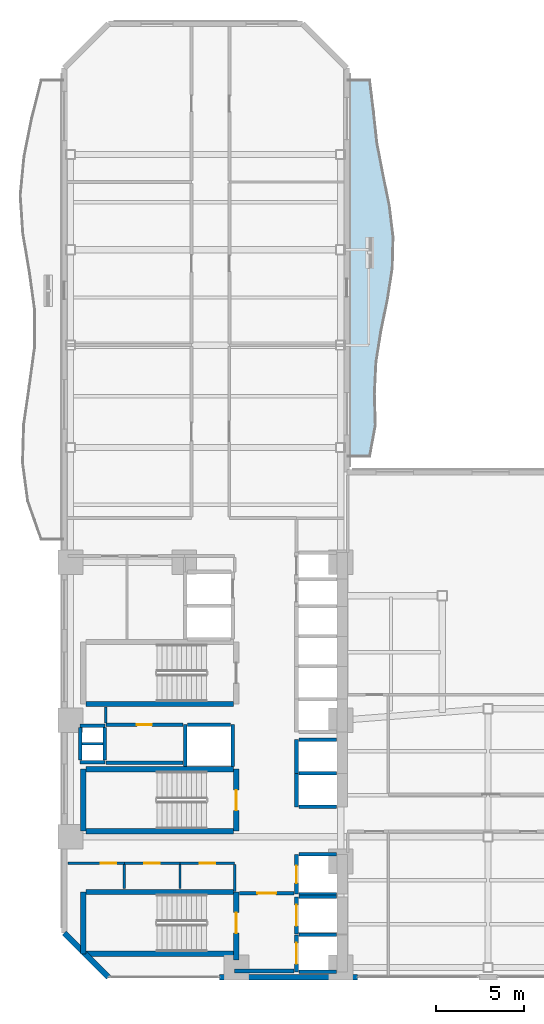
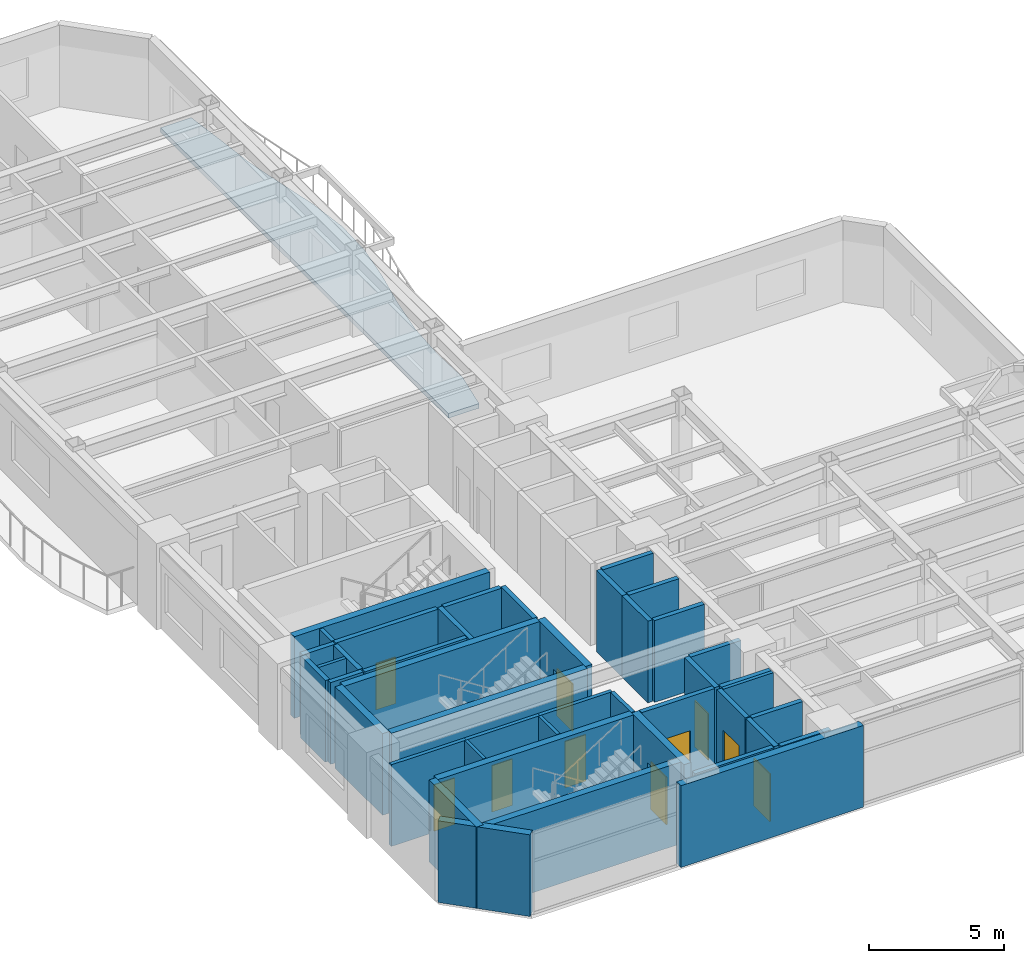
# One storey, part 9 of 16: 43 walls, 10 doors, 1 slab, 10 openings.
"""IFC4 building model written with IfcOpenShell, lengths in metres."""

from ifc_helpers import new_model, si_unit, direction, frame, frame_2d, origin, place, context, subcontext, project, spatial, polyline, rectangle, outline, extrude, material, layer, layer_set, type_object, element, fill, save


model = new_model("IFC4")

# Units and contexts
model_context = context("Model", 3, precision=1e-05, world=origin(), true_north=direction((0.0, 1.0)))
body_context = subcontext(model_context, "Body", "Model", "MODEL_VIEW")
ifc_project = project(units=[si_unit("LENGTHUNIT", "METRE"), si_unit("AREAUNIT", "SQUARE_METRE"), si_unit("VOLUMEUNIT", "CUBIC_METRE"), si_unit("PLANEANGLEUNIT", "RADIAN"), si_unit("MASSUNIT", "GRAM", prefix="KILO")], contexts=[model_context])

# Site, building, storey
site_placement = place(None, origin())
site = spatial("IfcSite", under=ifc_project, at=site_placement, CompositionType="ELEMENT")
building_placement = place(site_placement, origin())
building = spatial("IfcBuilding", under=site, at=building_placement, Name="Mawjaban Terraces University", CompositionType="ELEMENT")
storey_placement = place(building_placement, frame((0.0, 0.0, 38.800048828125)))
storey = spatial("IfcBuildingStorey", under=building, at=storey_placement, Name="L08", CompositionType="ELEMENT", Elevation=38.800048828125)

# Slab
ifc_material_1 = material(Name="Concrete C40/50", Category="concrete")
ifc_layer_1 = layer(ifc_material_1, 0.2099609375)
ifc_layer_set_1 = layer_set([ifc_layer_1], Name="Concrete C40/50")
slab_type = type_object("IfcSlabType", Name="BalconySlab_210_Ext", PredefinedType="FLOOR", material=ifc_layer_set_1)
slab_placement = place(storey_placement, frame((0.0, 0.0, -0.2099609375)))
element("IfcSlab", 1, at=slab_placement, inside=storey, type_object=slab_type, Name="L08 Planted Balcony Slab inner_east", PredefinedType="FLOOR", context=body_context, shape_type="SweptSolid", body=[
    extrude(outline(polyline([(39.300048828125, 29.5), (39.623046875, 31.27490234375), (39.571044921875, 33.050048828125), (39.657958984375, 34.824951171875), (39.93603515625, 36.60009765625), (40.302001953125, 38.375), (40.5810546875, 40.14990234375), (40.626953125, 41.925048828125), (40.4150390625, 43.699951171875), (40.052001953125, 45.47509765625), (39.7099609375, 47.25), (39.51611328125, 49.02490234375), (39.300048828125, 50.800048828125), (37.989990234375, 50.800048828125), (37.989990234375, 29.5), (39.300048828125, 29.5)])), origin(), (0.0, 0.0, 1.0), 0.2099609375),
])

# Wall, opening, door
ifc_material_2 = material(Name="Fire-rated gypsum board on steel stud", Category="steel")
ifc_layer_2 = layer(ifc_material_2, 0.159912109375)
ifc_layer_set_2 = layer_set([ifc_layer_2], Name="Fire-rated gypsum board on steel stud")
wall_type_1 = type_object("IfcWallType", Name="CorridorPartition_160", PredefinedType="PARTITIONING", material=ifc_layer_set_2)
wall_1_placement = place(storey_placement, frame((22.199951171875, 6.449951171875, 0.0), z_axis=(0.0, 0.0, 1.0), x_axis=(1.0, 0.0, 0.0)))
wall_1 = element("IfcWall", 2, at=wall_1_placement, inside=storey, type_object=wall_type_1, Name="L08 Core Washroom Lobby Partition 1", PredefinedType="PARTITIONING", context=body_context, shape_type="SweptSolid", body=[
    extrude(rectangle(XDim=3.199951171875, YDim=0.159912109375, at=frame_2d((1.60009765625, 0.0))), origin(), (0.0, 0.0, 1.0), 3.68994140625),
])
opening_1_placement = place(wall_1_placement, frame((1.860107421875, 0.0, 0.0)))
opening_1 = element("IfcOpeningElement", 3, at=opening_1_placement, cuts=wall_1, Name="Opening ID-088", PredefinedType="OPENING", context=body_context, shape_type="SweptSolid", body=[
    extrude(rectangle(XDim=0.8798828125, YDim=2.10009765625, at=frame_2d((0.43994140625, 1.050048828125))), frame((0.0, 0.08984375, 0.0), z_axis=(0.0, -1.0, 0.0), x_axis=(1.0, 0.0, 0.0)), (0.0, 0.0, 1.0), 0.179931640625),
])
ifc_material_3 = material(Name="Powder-coated steel frame and solid acoustic timber leaf", Category="steel")
door_type_1 = type_object("IfcDoorType", Name="ToiletDoor_880x2100", OperationType="NOTDEFINED", PredefinedType="DOOR", material=ifc_material_3)
door_1_placement = place(opening_1_placement, origin())
door_1 = element("IfcDoor", 4, at=door_1_placement, inside=storey, type_object=door_type_1, Name="L08 Male Toilet Door", OperationType="SINGLE_SWING_RIGHT", OverallHeight=2.10009765625, OverallWidth=0.8798828125, PredefinedType="DOOR", context=body_context, shape_type="SweptSolid", body=[
    extrude(rectangle(XDim=0.8798828125, YDim=2.10009765625, at=frame_2d((0.43994140625, 1.050048828125))), frame((0.0, 0.02490234375, 0.0), z_axis=(0.0, -1.0, 0.0), x_axis=(1.0, 0.0, 0.0)), (0.0, 0.0, 1.0), 0.050048828125),
])
fill(opening_1, door_1)

wall_2_placement = place(storey_placement, frame((25.39990234375, 6.449951171875, 0.0), z_axis=(0.0, 0.0, 1.0), x_axis=(1.0, 0.0, 0.0)))
wall_2 = element("IfcWall", 5, at=wall_2_placement, inside=storey, type_object=wall_type_1, Name="L08 Core Washroom Lobby Partition 4", PredefinedType="PARTITIONING", context=body_context, shape_type="SweptSolid", body=[
    extrude(rectangle(XDim=3.150146484375, YDim=0.159912109375, at=frame_2d((1.5751953125, 0.0))), origin(), (0.0, 0.0, 1.0), 3.68994140625),
])
opening_2_placement = place(wall_2_placement, frame((1.135009765625, 0.0, 0.0)))
opening_2 = element("IfcOpeningElement", 6, at=opening_2_placement, cuts=wall_2, Name="Opening ID-088", PredefinedType="OPENING", context=body_context, shape_type="SweptSolid", body=[
    extrude(rectangle(XDim=0.8798828125, YDim=2.10009765625, at=frame_2d((0.43994140625, 1.050048828125))), frame((0.0, 0.08984375, 0.0), z_axis=(0.0, -1.0, 0.0), x_axis=(1.0, 0.0, 0.0)), (0.0, 0.0, 1.0), 0.179931640625),
])
door_2_placement = place(opening_2_placement, origin())
door_2 = element("IfcDoor", 7, at=door_2_placement, inside=storey, type_object=door_type_1, Name="L08 Female Toilet Door", OperationType="SINGLE_SWING_LEFT", OverallHeight=2.10009765625, OverallWidth=0.8798828125, PredefinedType="DOOR", context=body_context, shape_type="SweptSolid", body=[
    extrude(rectangle(XDim=0.8798828125, YDim=2.10009765625, at=frame_2d((0.43994140625, 1.050048828125))), frame((0.0, 0.02490234375, 0.0), z_axis=(0.0, -1.0, 0.0), x_axis=(1.0, 0.0, 0.0)), (0.0, 0.0, 1.0), 0.050048828125),
])
fill(opening_2, door_2)

wall_3_placement = place(storey_placement, frame((28.550048828125, 6.449951171875, 0.0), z_axis=(0.0, 0.0, 1.0), x_axis=(1.0, 0.0, 0.0)))
wall_3 = element("IfcWall", 8, at=wall_3_placement, inside=storey, type_object=wall_type_1, Name="L08 Core Washroom Lobby Partition 6", PredefinedType="PARTITIONING", context=body_context, shape_type="SweptSolid", body=[
    extrude(rectangle(XDim=3.099853515625, YDim=0.159912109375, at=frame_2d((1.5498046875, 0.0))), origin(), (0.0, 0.0, 1.0), 3.68994140625),
])
opening_3_placement = place(wall_3_placement, frame((1.110107421875, 0.0, 0.0)))
opening_3 = element("IfcOpeningElement", 9, at=opening_3_placement, cuts=wall_3, Name="Opening ID-088", PredefinedType="OPENING", context=body_context, shape_type="SweptSolid", body=[
    extrude(rectangle(XDim=0.8798828125, YDim=2.10009765625, at=frame_2d((0.43994140625, 1.050048828125))), frame((0.0, 0.08984375, 0.0), z_axis=(0.0, -1.0, 0.0), x_axis=(1.0, 0.0, 0.0)), (0.0, 0.0, 1.0), 0.179931640625),
])
door_3_placement = place(opening_3_placement, origin())
door_3 = element("IfcDoor", 10, at=door_3_placement, inside=storey, type_object=door_type_1, Name="L08 Accessible Toilet Door", OperationType="SINGLE_SWING_RIGHT", OverallHeight=2.10009765625, OverallWidth=0.8798828125, PredefinedType="DOOR", context=body_context, shape_type="SweptSolid", body=[
    extrude(rectangle(XDim=0.8798828125, YDim=2.10009765625, at=frame_2d((0.43994140625, 1.050048828125))), frame((0.0, 0.02490234375, 0.0), z_axis=(0.0, -1.0, 0.0), x_axis=(1.0, 0.0, 0.0)), (0.0, 0.0, 1.0), 0.050048828125),
])
fill(opening_3, door_3)

# Walls
wall_4_placement = place(storey_placement, frame((24.35009765625, 15.2900390625, 0.0), z_axis=(0.0, 0.0, 1.0), x_axis=(0.0, -1.0, 0.0)))
element("IfcWall", 11, at=wall_4_placement, inside=storey, type_object=wall_type_1, Name="L08 Core Riser Access Passage Partition 28", PredefinedType="PARTITIONING", context=body_context, shape_type="SweptSolid", body=[
    extrude(rectangle(XDim=0.89501953125, YDim=0.159912109375, at=frame_2d((0.447509765625, 0.0))), origin(), (0.0, 0.0, 1.0), 3.68994140625),
])
wall_5_placement = place(storey_placement, frame((31.64990234375, 4.860107421875, 0.0), z_axis=(0.0, 0.0, 1.0), x_axis=(0.0, 1.0, 0.0)))
element("IfcWall", 12, at=wall_5_placement, inside=storey, type_object=wall_type_1, Name="L08 Accessible Toilet Partition 39", PredefinedType="PARTITIONING", context=body_context, shape_type="SweptSolid", body=[
    extrude(rectangle(XDim=1.514892578125, YDim=0.159912109375, at=frame_2d((0.75732421875, 0.0))), origin(), (0.0, 0.0, 1.0), 3.68994140625),
])
ifc_material_4 = material(Name="Insulated terracotta rainscreen on concrete backup C40/50", Category="masonry")
ifc_layer_3 = layer(ifc_material_4, 0.320068359375)
ifc_layer_set_3 = layer_set([ifc_layer_3], Name="Insulated terracotta rainscreen on concrete backup C40/50")
wall_type_2 = type_object("IfcWallType", Name="ExtTerracottaWall_320", PredefinedType="SOLIDWALL", material=ifc_layer_set_3)
wall_6_placement = place(storey_placement, frame((30.800048828125, 0.0, 0.0), z_axis=(0.0, 0.0, 1.0), x_axis=(1.0, 0.0, 0.0)))
element("IfcWall", 13, at=wall_6_placement, inside=storey, type_object=wall_type_2, Name="L08 Exterior Terracotta Pier Wall 1.1", PredefinedType="SOLIDWALL", context=body_context, shape_type="SweptSolid", body=[
    extrude(rectangle(XDim=7.800048828125, YDim=0.320068359375, at=frame_2d((3.89990234375, 0.0))), origin(), (0.0, 0.0, 1.0), 3.68994140625),
])
wall_7_placement = place(storey_placement, frame((22.0, 2.5, 0.0), z_axis=(0.0, 0.0, 1.0), x_axis=(0.707106781187, -0.707106781187, 0.0)))
element("IfcWall", 14, at=wall_7_placement, inside=storey, type_object=wall_type_2, Name="L08 Exterior Terracotta Wall 14", PredefinedType="SOLIDWALL", context=body_context, shape_type="SweptSolid", body=[
    extrude(rectangle(XDim=3.53564453125, YDim=0.320068359375, at=frame_2d((1.767822265625, 0.0))), origin(), (0.0, 0.0, 1.0), 3.68994140625),
])

# Wall, opening, door
ifc_layer_4 = layer(ifc_material_1, 0.199951171875)
ifc_layer_set_4 = layer_set([ifc_layer_4], Name="Concrete C40/50")
wall_type_3 = type_object("IfcWallType", Name="FireLobbyWall_200", PredefinedType="SOLIDWALL", material=ifc_layer_set_4)
wall_8_placement = place(storey_placement, frame((35.14990234375, 2.39990234375, 0.0), z_axis=(0.0, 0.0, 1.0), x_axis=(0.0, -1.0, 0.0)))
wall_8 = element("IfcWall", 15, at=wall_8_placement, inside=storey, type_object=wall_type_3, Name="L08 Lift FL-1 Hoistway Wall West", PredefinedType="SOLIDWALL", context=body_context, shape_type="SweptSolid", body=[
    extrude(rectangle(XDim=2.099853515625, YDim=0.199951171875, at=frame_2d((1.0498046875, 0.0))), origin(), (0.0, 0.0, 1.0), 3.68994140625),
])
opening_4_placement = place(wall_8_placement, frame((0.449951171875, 0.0, 0.0)))
opening_4 = element("IfcOpeningElement", 16, at=opening_4_placement, cuts=wall_8, Name="Opening LD-FL-1", PredefinedType="OPENING", context=body_context, shape_type="SweptSolid", body=[
    extrude(rectangle(XDim=1.199951171875, YDim=2.14990234375, at=frame_2d((0.60009765625, 1.074951171875))), frame((0.0, 0.10986328125, 0.0), z_axis=(0.0, -1.0, 0.0), x_axis=(1.0, 0.0, 0.0)), (0.0, 0.0, 1.0), 0.219970703125),
])
ifc_material_5 = material(Name="Powder-coated steel frame and fire-rated steel-faced leaf", Category="steel")
door_type_2 = type_object("IfcDoorType", Name="LiftLandingFSAE_1200x2150", OperationType="NOTDEFINED", PredefinedType="DOOR", material=ifc_material_5)
door_4_placement = place(opening_4_placement, origin())
door_4 = element("IfcDoor", 17, at=door_4_placement, inside=storey, type_object=door_type_2, Name="L08 Lift FL-1 Sliding Landing Door", OperationType="DOUBLE_DOOR_SLIDING", OverallHeight=2.14990234375, OverallWidth=1.199951171875, PredefinedType="DOOR", context=body_context, shape_type="SweptSolid", body=[
    extrude(rectangle(XDim=1.199951171875, YDim=2.14990234375, at=frame_2d((0.60009765625, 1.074951171875))), frame((0.0, 0.02490234375, 0.0), z_axis=(0.0, -1.0, 0.0), x_axis=(1.0, 0.0, 0.0)), (0.0, 0.0, 1.0), 0.050048828125),
])
fill(opening_4, door_4)

# Walls
for number, where, z_axis, x_axis, name in (
    (18, (35.280029296875, 0.300048828125, 0.0), (0.0, 0.0, 1.0), (1.0, 0.0, 0.0), "L08 Lift FL-1 Hoistway Wall South"),
    (19, (37.419921875, 2.39990234375, 0.0), (0.0, 0.0, 1.0), (-1.0, 0.0, 0.0), "L08 Lift FL-1 Hoistway Wall North"),
):
    element("IfcWall", number, at=place(storey_placement, frame(where, z_axis=z_axis, x_axis=x_axis)), inside=storey, type_object=wall_type_3, Name=name, PredefinedType="SOLIDWALL", context=body_context, shape_type="SweptSolid", body=[
        extrude(rectangle(XDim=2.139892578125, YDim=0.199951171875, at=frame_2d((1.06982421875, 0.0))), origin(), (0.0, 0.0, 1.0), 3.68994140625),
    ])

# Wall, opening, door
wall_9_placement = place(storey_placement, frame((35.14990234375, 4.550048828125, 0.0), z_axis=(0.0, 0.0, 1.0), x_axis=(0.0, -1.0, 0.0)))
wall_9 = element("IfcWall", 20, at=wall_9_placement, inside=storey, type_object=wall_type_3, Name="L08 Lift FL-2 Hoistway Wall West", PredefinedType="SOLIDWALL", context=body_context, shape_type="SweptSolid", body=[
    extrude(rectangle(XDim=2.10009765625, YDim=0.199951171875, at=frame_2d((1.050048828125, 0.0))), origin(), (0.0, 0.0, 1.0), 3.68994140625),
])
opening_5_placement = place(wall_9_placement, frame((0.449951171875, 0.0, 0.0)))
opening_5 = element("IfcOpeningElement", 21, at=opening_5_placement, cuts=wall_9, Name="Opening LD-FL-2", PredefinedType="OPENING", context=body_context, shape_type="SweptSolid", body=[
    extrude(rectangle(XDim=1.199951171875, YDim=2.14990234375, at=frame_2d((0.60009765625, 1.074951171875))), frame((0.0, 0.10986328125, 0.0), z_axis=(0.0, -1.0, 0.0), x_axis=(1.0, 0.0, 0.0)), (0.0, 0.0, 1.0), 0.219970703125),
])
door_5_placement = place(opening_5_placement, origin())
door_5 = element("IfcDoor", 22, at=door_5_placement, inside=storey, type_object=door_type_2, Name="L08 Lift FL-2 Sliding Landing Door", OperationType="DOUBLE_DOOR_SLIDING", OverallHeight=2.14990234375, OverallWidth=1.199951171875, PredefinedType="DOOR", context=body_context, shape_type="SweptSolid", body=[
    extrude(rectangle(XDim=1.199951171875, YDim=2.14990234375, at=frame_2d((0.60009765625, 1.074951171875))), frame((0.0, 0.02490234375, 0.0), z_axis=(0.0, -1.0, 0.0), x_axis=(1.0, 0.0, 0.0)), (0.0, 0.0, 1.0), 0.050048828125),
])
fill(opening_5, door_5)

# Wall
wall_10_placement = place(storey_placement, frame((37.419921875, 4.550048828125, 0.0), z_axis=(0.0, 0.0, 1.0), x_axis=(-1.0, 0.0, 0.0)))
element("IfcWall", 23, at=wall_10_placement, inside=storey, type_object=wall_type_3, Name="L08 Lift FL-2 Hoistway Wall North", PredefinedType="SOLIDWALL", context=body_context, shape_type="SweptSolid", body=[
    extrude(rectangle(XDim=2.139892578125, YDim=0.199951171875, at=frame_2d((1.06982421875, 0.0))), origin(), (0.0, 0.0, 1.0), 3.68994140625),
])

# Wall, opening, door
wall_11_placement = place(storey_placement, frame((35.14990234375, 6.949951171875, 0.0), z_axis=(0.0, 0.0, 1.0), x_axis=(0.0, -1.0, 0.0)))
wall_11 = element("IfcWall", 24, at=wall_11_placement, inside=storey, type_object=wall_type_3, Name="L08 Lift SL-1 Hoistway Wall West", PredefinedType="SOLIDWALL", context=body_context, shape_type="SweptSolid", body=[
    extrude(rectangle(XDim=2.25, YDim=0.199951171875, at=frame_2d((1.125, 0.0))), origin(), (0.0, 0.0, 1.0), 3.68994140625),
])
opening_6_placement = place(wall_11_placement, frame((0.625, 0.0, 0.0)))
opening_6 = element("IfcOpeningElement", 25, at=opening_6_placement, cuts=wall_11, Name="Opening LD-SL-1", PredefinedType="OPENING", context=body_context, shape_type="SweptSolid", body=[
    extrude(rectangle(XDim=1.0, YDim=2.10009765625, at=frame_2d((0.5, 1.050048828125))), frame((0.0, 0.10986328125, 0.0), z_axis=(0.0, -1.0, 0.0), x_axis=(1.0, 0.0, 0.0)), (0.0, 0.0, 1.0), 0.219970703125),
])
door_type_3 = type_object("IfcDoorType", Name="LiftLandingSliding_1000x2100", OperationType="NOTDEFINED", PredefinedType="DOOR", material=ifc_material_5)
door_6_placement = place(opening_6_placement, origin())
door_6 = element("IfcDoor", 26, at=door_6_placement, inside=storey, type_object=door_type_3, Name="L08 Lift SL-1 Sliding Landing Door", OperationType="DOUBLE_DOOR_SLIDING", OverallHeight=2.10009765625, OverallWidth=1.0, PredefinedType="DOOR", context=body_context, shape_type="SweptSolid", body=[
    extrude(rectangle(XDim=1.0, YDim=2.10009765625, at=frame_2d((0.5, 1.050048828125))), frame((0.0, 0.02490234375, 0.0), z_axis=(0.0, -1.0, 0.0), x_axis=(1.0, 0.0, 0.0)), (0.0, 0.0, 1.0), 0.050048828125),
])
fill(opening_6, door_6)

# Walls
for number, where, z_axis, x_axis, name in (
    (27, (35.280029296875, 4.699951171875, 0.0), (0.0, 0.0, 1.0), (1.0, 0.0, 0.0), "L08 Lift SL-1 Hoistway Wall South"),
    (28, (37.419921875, 6.949951171875, 0.0), (0.0, 0.0, 1.0), (-1.0, 0.0, 0.0), "L08 Lift SL-1 Hoistway Wall North"),
):
    element("IfcWall", number, at=place(storey_placement, frame(where, z_axis=z_axis, x_axis=x_axis)), inside=storey, type_object=wall_type_3, Name=name, PredefinedType="SOLIDWALL", context=body_context, shape_type="SweptSolid", body=[
        extrude(rectangle(XDim=2.139892578125, YDim=0.199951171875, at=frame_2d((1.06982421875, 0.0))), origin(), (0.0, 0.0, 1.0), 3.68994140625),
    ])
wall_12_placement = place(storey_placement, frame((35.14990234375, 11.550048828125, 0.0), z_axis=(0.0, 0.0, 1.0), x_axis=(0.0, -1.0, 0.0)))
element("IfcWall", 29, at=wall_12_placement, inside=storey, type_object=wall_type_3, Name="L08 Lift PL-H1 Hoistway Wall West", PredefinedType="SOLIDWALL", context=body_context, shape_type="SweptSolid", body=[
    extrude(rectangle(XDim=1.900146484375, YDim=0.199951171875, at=frame_2d((0.9501953125, 0.0))), origin(), (0.0, 0.0, 1.0), 3.68994140625),
])
for number, where, z_axis, x_axis, name in (
    (30, (35.280029296875, 9.64990234375, 0.0), (0.0, 0.0, 1.0), (1.0, 0.0, 0.0), "L08 Lift PL-H1 Hoistway Wall South"),
    (31, (37.419921875, 11.550048828125, 0.0), (0.0, 0.0, 1.0), (-1.0, 0.0, 0.0), "L08 Lift PL-H1 Hoistway Wall North"),
):
    element("IfcWall", number, at=place(storey_placement, frame(where, z_axis=z_axis, x_axis=x_axis)), inside=storey, type_object=wall_type_3, Name=name, PredefinedType="SOLIDWALL", context=body_context, shape_type="SweptSolid", body=[
        extrude(rectangle(XDim=2.139892578125, YDim=0.199951171875, at=frame_2d((1.06982421875, 0.0))), origin(), (0.0, 0.0, 1.0), 3.68994140625),
    ])
wall_13_placement = place(storey_placement, frame((35.14990234375, 13.449951171875, 0.0), z_axis=(0.0, 0.0, 1.0), x_axis=(0.0, -1.0, 0.0)))
element("IfcWall", 32, at=wall_13_placement, inside=storey, type_object=wall_type_3, Name="L08 Lift PL-H2 Hoistway Wall West", PredefinedType="SOLIDWALL", context=body_context, shape_type="SweptSolid", body=[
    extrude(rectangle(XDim=1.89990234375, YDim=0.199951171875, at=frame_2d((0.949951171875, 0.0))), origin(), (0.0, 0.0, 1.0), 3.68994140625),
])
wall_14_placement = place(storey_placement, frame((37.419921875, 13.449951171875, 0.0), z_axis=(0.0, 0.0, 1.0), x_axis=(-1.0, 0.0, 0.0)))
element("IfcWall", 33, at=wall_14_placement, inside=storey, type_object=wall_type_3, Name="L08 Lift PL-H2 Hoistway Wall North", PredefinedType="SOLIDWALL", context=body_context, shape_type="SweptSolid", body=[
    extrude(rectangle(XDim=2.139892578125, YDim=0.199951171875, at=frame_2d((1.06982421875, 0.0))), origin(), (0.0, 0.0, 1.0), 3.68994140625),
])
for number, where, z_axis, x_axis, name in (
    (34, (28.85009765625, 14.300048828125, 0.0), (0.0, 0.0, 1.0), (0.0, -1.0, 0.0), "L08 Lift PL-H3 Hoistway Wall West"),
    (35, (31.550048828125, 11.929931640625, 0.0), (0.0, 0.0, 1.0), (0.0, 1.0, 0.0), "L08 Lift PL-H3 Hoistway Wall East"),
):
    element("IfcWall", number, at=place(storey_placement, frame(where, z_axis=z_axis, x_axis=x_axis)), inside=storey, type_object=wall_type_3, Name=name, PredefinedType="SOLIDWALL", context=body_context, shape_type="SweptSolid", body=[
        extrude(rectangle(XDim=2.3701171875, YDim=0.199951171875, at=frame_2d((1.18505859375, 0.0))), origin(), (0.0, 0.0, 1.0), 3.68994140625),
    ])
wall_15_placement = place(storey_placement, frame((31.419921875, 14.300048828125, 0.0), z_axis=(0.0, 0.0, 1.0), x_axis=(-1.0, 0.0, 0.0)))
element("IfcWall", 36, at=wall_15_placement, inside=storey, type_object=wall_type_3, Name="L08 Lift PL-H3 Hoistway Wall North", PredefinedType="SOLIDWALL", context=body_context, shape_type="SweptSolid", body=[
    extrude(rectangle(XDim=2.43994140625, YDim=0.199951171875, at=frame_2d((1.219970703125, 0.0))), origin(), (0.0, 0.0, 1.0), 3.68994140625),
])
for number, where, z_axis, x_axis, name in (
    (37, (22.89990234375, 14.25, 0.0), (0.0, 0.0, 1.0), (1.0, 0.0, 0.0), "L08 MEP Riser Shaft Wall N"),
    (38, (22.89990234375, 12.179931640625, 0.0), (0.0, 0.0, 1.0), (1.0, 0.0, 0.0), "L08 MEP Riser Shaft Wall S"),
):
    element("IfcWall", number, at=place(storey_placement, frame(where, z_axis=z_axis, x_axis=x_axis)), inside=storey, type_object=wall_type_3, Name=name, PredefinedType="SOLIDWALL", context=body_context, shape_type="SweptSolid", body=[
        extrude(rectangle(XDim=1.400146484375, YDim=0.199951171875, at=frame_2d((0.7001953125, 0.0))), origin(), (0.0, 0.0, 1.0), 3.68994140625),
    ])
for number, where, z_axis, x_axis, name in (
    (39, (24.300048828125, 12.300048828125, 0.0), (0.0, 0.0, 1.0), (0.0, 1.0, 0.0), "L08 MEP Riser Shaft Wall E"),
    (40, (22.89990234375, 12.300048828125, 0.0), (0.0, 0.0, 1.0), (0.0, 1.0, 0.0), "L08 MEP Riser Shaft Wall W"),
):
    element("IfcWall", number, at=place(storey_placement, frame(where, z_axis=z_axis, x_axis=x_axis)), inside=storey, type_object=wall_type_3, Name=name, PredefinedType="SOLIDWALL", context=body_context, shape_type="SweptSolid", body=[
        extrude(rectangle(XDim=1.829833984375, YDim=0.199951171875, at=frame_2d((0.9150390625, 0.0))), origin(), (0.0, 0.0, 1.0), 3.68994140625),
    ])
wall_16_placement = place(storey_placement, frame((24.35009765625, 12.14990234375, 0.0), z_axis=(0.0, 0.0, 1.0), x_axis=(1.0, 0.0, 0.0)))
element("IfcWall", 41, at=wall_16_placement, inside=storey, type_object=wall_type_3, Name="L08 IT and Telecoms Riser Room Partition 2", PredefinedType="SOLIDWALL", context=body_context, shape_type="SweptSolid", body=[
    extrude(rectangle(XDim=4.369873046875, YDim=0.199951171875, at=frame_2d((2.18505859375, 0.0))), origin(), (0.0, 0.0, 1.0), 3.68994140625),
])

# Wall, opening, door
wall_17_placement = place(storey_placement, frame((24.35009765625, 14.300048828125, 0.0), z_axis=(0.0, 0.0, 1.0), x_axis=(1.0, 0.0, 0.0)))
wall_17 = element("IfcWall", 42, at=wall_17_placement, inside=storey, type_object=wall_type_3, Name="L08 Core Riser Access Passage Partition 3", PredefinedType="SOLIDWALL", context=body_context, shape_type="SweptSolid", body=[
    extrude(rectangle(XDim=4.369873046875, YDim=0.199951171875, at=frame_2d((2.18505859375, 0.0))), origin(), (0.0, 0.0, 1.0), 3.68994140625),
])
opening_7_placement = place(wall_17_placement, frame((1.760009765625, 0.0, 0.0)))
opening_7 = element("IfcOpeningElement", 43, at=opening_7_placement, cuts=wall_17, Name="Opening FD-085", PredefinedType="OPENING", context=body_context, shape_type="SweptSolid", body=[
    extrude(rectangle(XDim=0.85009765625, YDim=2.10009765625, at=frame_2d((0.425048828125, 1.050048828125))), frame((0.0, 0.10986328125, 0.0), z_axis=(0.0, -1.0, 0.0), x_axis=(1.0, 0.0, 0.0)), (0.0, 0.0, 1.0), 0.219970703125),
])
door_type_4 = type_object("IfcDoorType", Name="FireRiserDoor_850x2100", OperationType="NOTDEFINED", PredefinedType="DOOR", material=ifc_material_5)
door_7_placement = place(opening_7_placement, origin())
door_7 = element("IfcDoor", 44, at=door_7_placement, inside=storey, type_object=door_type_4, Name="L08 IT and Telecoms Riser Room Door", OperationType="SINGLE_SWING_LEFT", OverallHeight=2.10009765625, OverallWidth=0.85009765625, PredefinedType="DOOR", context=body_context, shape_type="SweptSolid", body=[
    extrude(rectangle(XDim=0.85009765625, YDim=2.10009765625, at=frame_2d((0.425048828125, 1.050048828125))), frame((0.0, 0.02490234375, 0.0), z_axis=(0.0, -1.0, 0.0), x_axis=(1.0, 0.0, 0.0)), (0.0, 0.0, 1.0), 0.050048828125),
])
fill(opening_7, door_7)

# Wall
wall_18_placement = place(storey_placement, frame((31.64990234375, 0.35009765625, 0.0), z_axis=(0.0, 0.0, 1.0), x_axis=(1.0, 0.0, 0.0)))
element("IfcWall", 45, at=wall_18_placement, inside=storey, type_object=wall_type_3, Name="L08 Firefighting Lift Lobby Partition 12", PredefinedType="SOLIDWALL", context=body_context, shape_type="SweptSolid", body=[
    extrude(rectangle(XDim=3.3701171875, YDim=0.199951171875, at=frame_2d((1.68505859375, 0.0))), origin(), (0.0, 0.0, 1.0), 3.68994140625),
])

# Wall, opening, door
wall_19_placement = place(storey_placement, frame((35.02001953125, 4.75, 0.0), z_axis=(0.0, 0.0, 1.0), x_axis=(-1.0, 0.0, 0.0)))
wall_19 = element("IfcWall", 46, at=wall_19_placement, inside=storey, type_object=wall_type_3, Name="L08 Firefighting Lift Lobby Partition 13", PredefinedType="SOLIDWALL", context=body_context, shape_type="SweptSolid", body=[
    extrude(rectangle(XDim=3.110107421875, YDim=0.199951171875, at=frame_2d((1.55517578125, 0.0))), origin(), (0.0, 0.0, 1.0), 3.68994140625),
])
opening_8_placement = place(wall_19_placement, frame((1.030029296875, 0.0, 0.0)))
opening_8 = element("IfcOpeningElement", 47, at=opening_8_placement, cuts=wall_19, Name="Opening FD-105", PredefinedType="OPENING", context=body_context, shape_type="SweptSolid", body=[
    extrude(rectangle(XDim=1.050048828125, YDim=2.14990234375, at=frame_2d((0.52490234375, 1.074951171875))), frame((0.0, 0.10986328125, 0.0), z_axis=(0.0, -1.0, 0.0), x_axis=(1.0, 0.0, 0.0)), (0.0, 0.0, 1.0), 0.219970703125),
])
door_type_5 = type_object("IfcDoorType", Name="FireLobbyDoor_1050x2150", OperationType="NOTDEFINED", PredefinedType="DOOR", material=ifc_material_5)
door_8_placement = place(opening_8_placement, origin())
door_8 = element("IfcDoor", 48, at=door_8_placement, inside=storey, type_object=door_type_5, Name="L08 Firefighting Lift Lobby Door", OperationType="SINGLE_SWING_LEFT", OverallHeight=2.14990234375, OverallWidth=1.050048828125, PredefinedType="DOOR", context=body_context, shape_type="SweptSolid", body=[
    extrude(rectangle(XDim=1.050048828125, YDim=2.14990234375, at=frame_2d((0.52490234375, 1.074951171875))), frame((0.0, 0.02490234375, 0.0), z_axis=(0.0, -1.0, 0.0), x_axis=(1.0, 0.0, 0.0)), (0.0, 0.0, 1.0), 0.050048828125),
])
fill(opening_8, door_8)

# Walls
ifc_material_6 = material(Name="Moisture-resistant gypsum board on steel stud", Category="steel")
ifc_layer_5 = layer(ifc_material_6, 0.14501953125)
ifc_layer_set_5 = layer_set([ifc_layer_5], Name="Moisture-resistant gypsum board on steel stud")
wall_type_4 = type_object("IfcWallType", Name="LabPartition_145", PredefinedType="PARTITIONING", material=ifc_layer_set_5)
wall_20_placement = place(storey_placement, frame((23.010009765625, 13.22509765625, 0.0), z_axis=(0.0, 0.0, 1.0), x_axis=(1.0, 0.0, 0.0)))
element("IfcWall", 49, at=wall_20_placement, inside=storey, type_object=wall_type_4, Name="L08 MEP Riser Shaft Wall M", PredefinedType="PARTITIONING", context=body_context, shape_type="SweptSolid", body=[
    extrude(rectangle(XDim=1.179931640625, YDim=0.14501953125, at=frame_2d((0.58984375, 0.0))), origin(), (0.0, 0.0, 1.0), 3.68994140625),
])
ifc_material_7 = material(Name="Concrete C60/75", Category="concrete")
ifc_layer_6 = layer(ifc_material_7, 0.300048828125)
ifc_layer_set_6 = layer_set([ifc_layer_6], Name="Concrete C60/75")
wall_type_5 = type_object("IfcWallType", Name="StairShaftWall_300", PredefinedType="SHEAR", material=ifc_layer_set_6)
wall_21_placement = place(storey_placement, frame((31.580078125, 4.830078125, 0.0), z_axis=(0.0, 0.0, 1.0), x_axis=(-1.0, 0.0, 0.0)))
element("IfcWall", 50, at=wall_21_placement, inside=storey, type_object=wall_type_5, Name="L08 ST-1 Stair Shaft Wall 1", PredefinedType="SHEAR", context=body_context, shape_type="SweptSolid", body=[
    extrude(rectangle(XDim=8.360107421875, YDim=0.300048828125, at=frame_2d((4.18017578125, 0.0))), origin(), (0.0, 0.0, 1.0), 3.68994140625),
])
wall_22_placement = place(storey_placement, frame((23.070068359375, 4.830078125, 0.0), z_axis=(0.0, 0.0, 1.0), x_axis=(0.0, -1.0, 0.0)))
element("IfcWall", 51, at=wall_22_placement, inside=storey, type_object=wall_type_5, Name="L08 ST-1 Stair Shaft Wall 2", PredefinedType="SHEAR", context=body_context, shape_type="SweptSolid", body=[
    extrude(rectangle(XDim=3.510009765625, YDim=0.300048828125, at=frame_2d((1.7548828125, 0.0))), origin(), (0.0, 0.0, 1.0), 3.68994140625),
])
wall_23_placement = place(storey_placement, frame((23.219970703125, 1.320068359375, 0.0), z_axis=(0.0, 0.0, 1.0), x_axis=(1.0, 0.0, 0.0)))
element("IfcWall", 52, at=wall_23_placement, inside=storey, type_object=wall_type_5, Name="L08 ST-1 Stair Shaft Wall 3", PredefinedType="SHEAR", context=body_context, shape_type="SweptSolid", body=[
    extrude(rectangle(XDim=8.360107421875, YDim=0.300048828125, at=frame_2d((4.18017578125, 0.0))), origin(), (0.0, 0.0, 1.0), 3.68994140625),
])

# Wall, opening, door
wall_24_placement = place(storey_placement, frame((31.72998046875, 0.9599609375, 0.0), z_axis=(0.0, 0.0, 1.0), x_axis=(0.0, 1.0, 0.0)))
wall_24 = element("IfcWall", 53, at=wall_24_placement, inside=storey, type_object=wall_type_5, Name="L08 ST-1 Stair Shaft Wall 4", PredefinedType="SHEAR", context=body_context, shape_type="SweptSolid", body=[
    extrude(rectangle(XDim=3.8701171875, YDim=0.300048828125, at=frame_2d((1.93505859375, 0.0))), origin(), (0.0, 0.0, 1.0), 3.68994140625),
])
opening_9_placement = place(wall_24_placement, frame((1.5400390625, 0.0, 0.0)))
opening_9 = element("IfcOpeningElement", 54, at=opening_9_placement, cuts=wall_24, Name="Opening FD-115", PredefinedType="OPENING", context=body_context, shape_type="SweptSolid", body=[
    extrude(rectangle(XDim=1.14990234375, YDim=2.14990234375, at=frame_2d((0.574951171875, 1.074951171875))), frame((0.0, 0.159912109375, 0.0), z_axis=(0.0, -1.0, 0.0), x_axis=(1.0, 0.0, 0.0)), (0.0, 0.0, 1.0), 0.320068359375),
])
door_type_6 = type_object("IfcDoorType", Name="FireStairDoor_1150x2150", OperationType="NOTDEFINED", PredefinedType="DOOR", material=ifc_material_5)
door_9_placement = place(opening_9_placement, origin())
door_9 = element("IfcDoor", 55, at=door_9_placement, inside=storey, type_object=door_type_6, Name="L08 ST-1 Pressurised Stair Fire Door", OperationType="SINGLE_SWING_RIGHT", OverallHeight=2.14990234375, OverallWidth=1.14990234375, PredefinedType="DOOR", context=body_context, shape_type="SweptSolid", body=[
    extrude(rectangle(XDim=1.14990234375, YDim=2.14990234375, at=frame_2d((0.574951171875, 1.074951171875))), frame((0.0, 0.02490234375, 0.0), z_axis=(0.0, -1.0, 0.0), x_axis=(1.0, 0.0, 0.0)), (0.0, 0.0, 1.0), 0.050048828125),
])
fill(opening_9, door_9)

# Walls
for number, where, z_axis, x_axis, name in (
    (56, (23.219970703125, 15.469970703125, 0.0), (0.0, 0.0, 1.0), (1.0, 0.0, 0.0), "L08 ST-2 Stair Shaft Wall 3"),
    (57, (31.580078125, 11.780029296875, 0.0), (0.0, 0.0, 1.0), (-1.0, 0.0, 0.0), "L08 ST-3 Stair Shaft Wall 1"),
):
    element("IfcWall", number, at=place(storey_placement, frame(where, z_axis=z_axis, x_axis=x_axis)), inside=storey, type_object=wall_type_5, Name=name, PredefinedType="SHEAR", context=body_context, shape_type="SweptSolid", body=[
        extrude(rectangle(XDim=8.360107421875, YDim=0.300048828125, at=frame_2d((4.18017578125, 0.0))), origin(), (0.0, 0.0, 1.0), 3.68994140625),
    ])
wall_25_placement = place(storey_placement, frame((23.070068359375, 11.780029296875, 0.0), z_axis=(0.0, 0.0, 1.0), x_axis=(0.0, -1.0, 0.0)))
element("IfcWall", 58, at=wall_25_placement, inside=storey, type_object=wall_type_5, Name="L08 ST-3 Stair Shaft Wall 2", PredefinedType="SHEAR", context=body_context, shape_type="SweptSolid", body=[
    extrude(rectangle(XDim=3.510009765625, YDim=0.300048828125, at=frame_2d((1.7548828125, 0.0))), origin(), (0.0, 0.0, 1.0), 3.68994140625),
])
wall_26_placement = place(storey_placement, frame((23.219970703125, 8.27001953125, 0.0), z_axis=(0.0, 0.0, 1.0), x_axis=(1.0, 0.0, 0.0)))
element("IfcWall", 59, at=wall_26_placement, inside=storey, type_object=wall_type_5, Name="L08 ST-3 Stair Shaft Wall 3", PredefinedType="SHEAR", context=body_context, shape_type="SweptSolid", body=[
    extrude(rectangle(XDim=8.360107421875, YDim=0.300048828125, at=frame_2d((4.18017578125, 0.0))), origin(), (0.0, 0.0, 1.0), 3.68994140625),
])

# Wall, opening, door
wall_27_placement = place(storey_placement, frame((31.72998046875, 8.27001953125, 0.0), z_axis=(0.0, 0.0, 1.0), x_axis=(0.0, 1.0, 0.0)))
wall_27 = element("IfcWall", 60, at=wall_27_placement, inside=storey, type_object=wall_type_5, Name="L08 ST-3 Stair Shaft Wall 4", PredefinedType="SHEAR", context=body_context, shape_type="SweptSolid", body=[
    extrude(rectangle(XDim=3.510009765625, YDim=0.300048828125, at=frame_2d((1.7548828125, 0.0))), origin(), (0.0, 0.0, 1.0), 3.68994140625),
])
opening_10_placement = place(wall_27_placement, frame((1.179931640625, 0.0, 0.0)))
opening_10 = element("IfcOpeningElement", 61, at=opening_10_placement, cuts=wall_27, Name="Opening FD-115", PredefinedType="OPENING", context=body_context, shape_type="SweptSolid", body=[
    extrude(rectangle(XDim=1.14990234375, YDim=2.14990234375, at=frame_2d((0.574951171875, 1.074951171875))), frame((0.0, 0.159912109375, 0.0), z_axis=(0.0, -1.0, 0.0), x_axis=(1.0, 0.0, 0.0)), (0.0, 0.0, 1.0), 0.320068359375),
])
door_10_placement = place(opening_10_placement, origin())
door_10 = element("IfcDoor", 62, at=door_10_placement, inside=storey, type_object=door_type_6, Name="L08 ST-3 Pressurised Stair Fire Door", OperationType="SINGLE_SWING_RIGHT", OverallHeight=2.14990234375, OverallWidth=1.14990234375, PredefinedType="DOOR", context=body_context, shape_type="SweptSolid", body=[
    extrude(rectangle(XDim=1.14990234375, YDim=2.14990234375, at=frame_2d((0.574951171875, 1.074951171875))), frame((0.0, 0.02490234375, 0.0), z_axis=(0.0, -1.0, 0.0), x_axis=(1.0, 0.0, 0.0)), (0.0, 0.0, 1.0), 0.050048828125),
])
fill(opening_10, door_10)

# Walls
ifc_material_8 = material(Name="Cement-board wet-room partition", Category="masonry")
ifc_layer_7 = layer(ifc_material_8, 0.135009765625)
ifc_layer_set_7 = layer_set([ifc_layer_7], Name="Cement-board wet-room partition")
wall_type_6 = type_object("IfcWallType", Name="WetRoomPartition_135", PredefinedType="PARTITIONING", material=ifc_layer_set_7)
for number, where, z_axis, x_axis, name in (
    (63, (25.39990234375, 5.010009765625, 0.0), (0.0, 0.0, 1.0), (0.0, 1.0, 0.0), "L08 Male Toilet Partition 29"),
    (64, (28.550048828125, 5.010009765625, 0.0), (0.0, 0.0, 1.0), (0.0, 1.0, 0.0), "L08 Female Toilet Partition 31"),
):
    element("IfcWall", number, at=place(storey_placement, frame(where, z_axis=z_axis, x_axis=x_axis)), inside=storey, type_object=wall_type_6, Name=name, PredefinedType="PARTITIONING", context=body_context, shape_type="SweptSolid", body=[
        extrude(rectangle(XDim=1.364990234375, YDim=0.135009765625, at=frame_2d((0.6826171875, 0.0))), origin(), (0.0, 0.0, 1.0), 3.68994140625),
    ])

save(model, "model.ifc")
